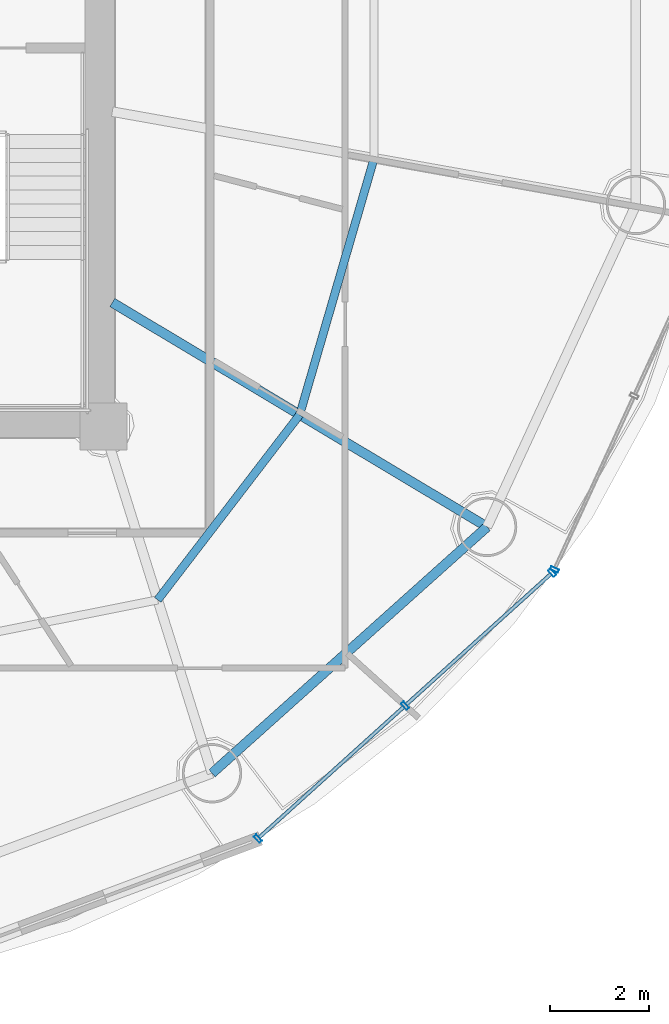
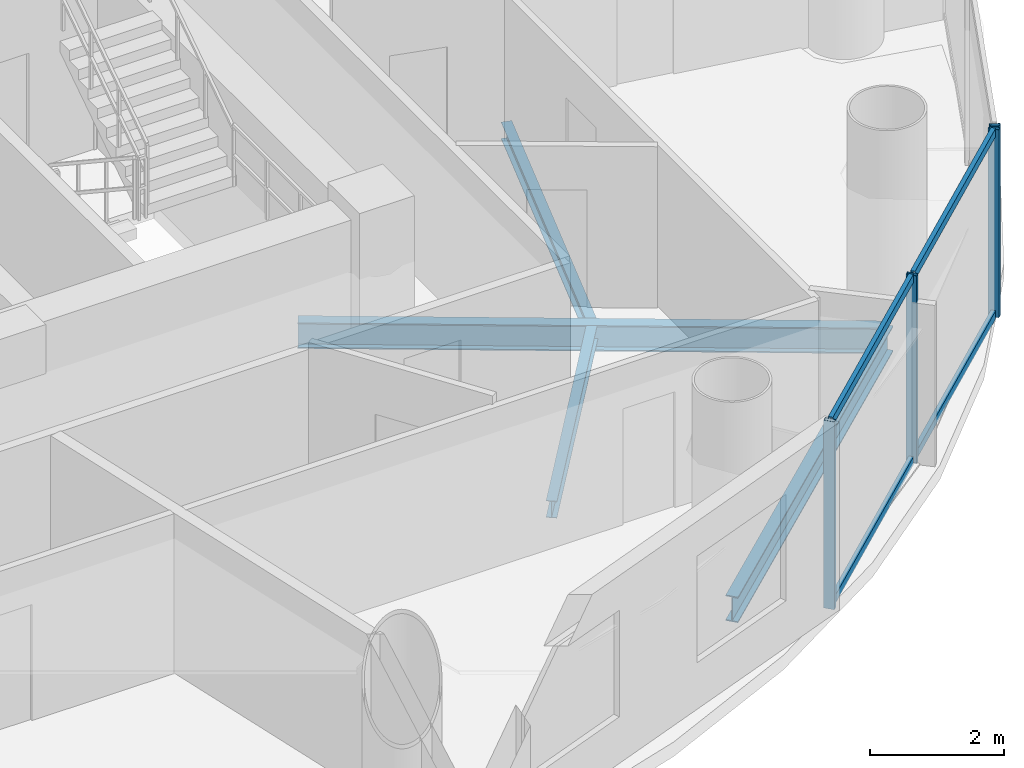
# One storey, part 10 of 27: 8 members, 4 beams, 2 elements without a shape of their own.
"""IFC4 building model written with IfcOpenShell, lengths in metres."""

from ifc_helpers import new_model, si_unit, direction, frame, origin, origin_2d, place, context, subcontext, project, spatial, hollow_rectangle, i_section, extrude, source, transform, mapped, material, material_profile, profile_set, type_object, element, aggregate, save


model = new_model("IFC4")

# Units and contexts
model_context = context("Model", 3, precision=1e-05, world=origin(), true_north=direction((-0.2419218956, 0.970295726276)))
body_context = subcontext(model_context, "Body", "Model", "MODEL_VIEW")
ifc_project = project(units=[si_unit("LENGTHUNIT", "METRE"), si_unit("AREAUNIT", "SQUARE_METRE"), si_unit("VOLUMEUNIT", "CUBIC_METRE"), si_unit("PLANEANGLEUNIT", "RADIAN"), si_unit("MASSUNIT", "GRAM", prefix="KILO")], contexts=[model_context])

# Site, building, storey
site_placement = place(None, origin())
site = spatial("IfcSite", under=ifc_project, at=site_placement, CompositionType="ELEMENT")
building_placement = place(site_placement, origin())
building = spatial("IfcBuilding", under=site, at=building_placement, Name="Cobrevalo Terracotta Tower", CompositionType="ELEMENT")
storey_placement = place(building_placement, frame((0.0, 0.0, 198.60009765625)))
storey = spatial("IfcBuildingStorey", under=building, at=storey_placement, Name="L52", CompositionType="ELEMENT", Elevation=198.60009765625)

# Beams
ifc_material_1 = material(Name="Steel S355", Category="steel")
ifc_material_profile_1 = material_profile(ifc_material_1, i_section(OverallWidth=0.194091796875, OverallDepth=0.468994140625, WebThickness=0.011474609375, FlangeThickness=0.0205078125, at=origin_2d()), Name="W 460x106")
ifc_profile_set_1 = profile_set([ifc_material_profile_1], Name="Steel S355")
beam_type_1 = type_object("IfcBeamType", Name="Structural Beam W 460x106 (Steel S355)", PredefinedType="BEAM", material=ifc_profile_set_1)
beam_1_placement = place(storey_placement, frame((54.754150390625, 16.77197265625, -0.49951171875), z_axis=(-0.858046392192, 0.513572184651, 0.0), x_axis=(-0.513572184651, -0.858046392192, 0.0)))
element("IfcBeam", 1, at=beam_1_placement, inside=storey, type_object=beam_type_1, Name="L52 radial floor girder 15", PredefinedType="BEAM", context=body_context, shape_type="SweptSolid", body=[
    extrude(i_section(OverallWidth=0.194091796875, OverallDepth=0.468994140625, WebThickness=0.011474609375, FlangeThickness=0.0205078125, at=origin_2d()), origin(), (0.0, 0.0, 1.0), 8.827392578125),
])
ifc_material_profile_2 = material_profile(ifc_material_1, i_section(OverallWidth=0.1650390625, OverallDepth=0.31005859375, WebThickness=0.005859375, FlangeThickness=0.009765625, at=origin_2d()), Name="W 310x38.7")
ifc_profile_set_2 = profile_set([ifc_material_profile_2], Name="Steel S355")
beam_type_2 = type_object("IfcBeamType", Name="Structural Joist W 310x38.7 (Steel S355)", PredefinedType="JOIST", material=ifc_profile_set_2)
beam_2_placement = place(storey_placement, frame((48.097412109375, 15.2958984375, -0.420166015625), z_axis=(0.608464146296, 0.793581364872, 0.0), x_axis=(-0.793581364872, 0.608464146296, 0.0)))
element("IfcBeam", 2, at=beam_2_placement, inside=storey, type_object=beam_type_2, Name="L52 circumferential secondary floor joist 14", PredefinedType="JOIST", context=body_context, shape_type="SweptSolid", body=[
    extrude(i_section(OverallWidth=0.1650390625, OverallDepth=0.31005859375, WebThickness=0.005859375, FlangeThickness=0.009765625, at=origin_2d()), origin(), (0.0, 0.0, 1.0), 4.716064453125),
])
beam_3_placement = place(storey_placement, frame((50.967041015625, 19.03857421875, -0.420166015625), z_axis=(0.278757705995, 0.960361463902, 0.0), x_axis=(-0.960361463902, 0.278757705995, 0.0)))
element("IfcBeam", 3, at=beam_3_placement, inside=storey, type_object=beam_type_2, Name="L52 circumferential secondary floor joist 15", PredefinedType="JOIST", context=body_context, shape_type="SweptSolid", body=[
    extrude(i_section(OverallWidth=0.1650390625, OverallDepth=0.31005859375, WebThickness=0.005859375, FlangeThickness=0.009765625, at=origin_2d()), origin(), (0.0, 0.0, 1.0), 5.396728515625),
])
ifc_material_profile_3 = material_profile(ifc_material_1, i_section(OverallWidth=0.194091796875, OverallDepth=0.468994140625, WebThickness=0.011474609375, FlangeThickness=0.0205078125, at=origin_2d()), Name="W 460x106")
ifc_profile_set_3 = profile_set([ifc_material_profile_3], Name="Steel S355")
beam_type_3 = type_object("IfcBeamType", Name="Structural Spandrel W 460x106 (Steel S355)", PredefinedType="SPANDREL", material=ifc_profile_set_3)
beam_4_placement = place(storey_placement, frame((49.19482421875, 11.7919921875, -0.49951171875), z_axis=(0.744851930997, 0.667229796165, 0.0), x_axis=(-0.667229796165, 0.744851930997, 0.0)))
element("IfcBeam", 4, at=beam_4_placement, inside=storey, type_object=beam_type_3, Name="L52 perimeter ring spandrel 14", PredefinedType="SPANDREL", context=body_context, shape_type="SweptSolid", body=[
    extrude(i_section(OverallWidth=0.194091796875, OverallDepth=0.468994140625, WebThickness=0.011474609375, FlangeThickness=0.0205078125, at=origin_2d()), origin(), (0.0, 0.0, 1.0), 7.463623046875),
])

# Curtain wall, members
ifc_material_2 = material(Name="Anodized aluminium", Category="aluminium")
curtain_wall_type = type_object("IfcCurtainWallType", Name="Mid-tower high-wind unitised curtain wall CW-U2", PredefinedType="NOTDEFINED", material=ifc_material_2)
curtain_wall_1_placement = place(storey_placement, origin())
curtain_wall_1 = element("IfcCurtainWall", 5, at=curtain_wall_1_placement, inside=storey, type_object=curtain_wall_type, Name="L52 curtain wall CW-L52-S14", PredefinedType="NOTDEFINED")
ifc_material_profile_4 = material_profile(ifc_material_2, hollow_rectangle(XDim=0.074951171875, YDim=0.14990234375, WallThickness=0.00439453125, at=origin_2d()), Name="CWT 75x150")
ifc_profile_set_4 = profile_set([ifc_material_profile_4], Name="Anodized aluminium")
member_type_1 = type_object("IfcMemberType", Name="Tower unitised aluminium transom 75x150", PredefinedType="USERDEFINED", material=ifc_profile_set_4)
shared_shape_1 = source(origin(), body_context, "Body", "SweptSolid", [
    extrude(hollow_rectangle(XDim=0.074951171875, YDim=0.14990234375, WallThickness=0.00439453125, at=origin_2d()), origin(), (0.0, 0.0, 1.0), 3.927490234375),
])
member_1_placement = place(storey_placement, frame((53.127685546875, 13.185302734375, 0.0498046875), z_axis=(0.741975952623, 0.670426495396, 0.0), x_axis=(-0.670426495396, 0.741975952623, 0.0)))
member_1 = element("IfcMember", 6, at=member_1_placement, type_object=member_type_1, Name="CW-L52-S14 transom B02-T1", ObjectType="TRANSOM", PredefinedType="USERDEFINED", context=body_context, shape_type="MappedRepresentation", body=[
    mapped(shared_shape_1, transform((0.0, 0.0, 0.0), scale=1.0)),
])
member_2_placement = place(storey_placement, frame((53.127685546875, 13.185302734375, 3.385009765625), z_axis=(0.741975952623, 0.670426495396, 0.0), x_axis=(-0.670426495396, 0.741975952623, 0.0)))
member_2 = element("IfcMember", 7, at=member_2_placement, type_object=member_type_1, Name="CW-L52-S14 transom B02-T2", ObjectType="TRANSOM", PredefinedType="USERDEFINED", context=body_context, shape_type="MappedRepresentation", body=[
    mapped(shared_shape_1, transform((0.0, 0.0, 0.0), scale=1.0)),
])
shared_shape_2 = source(origin(), body_context, "Body", "SweptSolid", [
    extrude(hollow_rectangle(XDim=0.074951171875, YDim=0.14990234375, WallThickness=0.00439453125, at=origin_2d()), origin(), (0.0, 0.0, 1.0), 3.927734375),
])
member_3_placement = place(storey_placement, frame((50.154052734375, 10.49853515625, 0.0498046875), z_axis=(0.742003891138, 0.670395573923, 0.0), x_axis=(-0.670395573923, 0.742003891138, 0.0)))
member_3 = element("IfcMember", 8, at=member_3_placement, type_object=member_type_1, Name="CW-L52-S14 transom B01-T1", ObjectType="TRANSOM", PredefinedType="USERDEFINED", context=body_context, shape_type="MappedRepresentation", body=[
    mapped(shared_shape_2, transform((0.0, 0.0, 0.0), scale=1.0)),
])
member_4_placement = place(storey_placement, frame((50.154052734375, 10.49853515625, 3.385009765625), z_axis=(0.742003891138, 0.670395573923, 0.0), x_axis=(-0.670395573923, 0.742003891138, 0.0)))
member_4 = element("IfcMember", 9, at=member_4_placement, type_object=member_type_1, Name="CW-L52-S14 transom B01-T2", ObjectType="TRANSOM", PredefinedType="USERDEFINED", context=body_context, shape_type="MappedRepresentation", body=[
    mapped(shared_shape_2, transform((0.0, 0.0, 0.0), scale=1.0)),
])
ifc_material_profile_5 = material_profile(ifc_material_2, hollow_rectangle(XDim=0.070068359375, YDim=0.169921875, WallThickness=0.00439453125, at=origin_2d()), Name="CWM 70x170")
ifc_profile_set_5 = profile_set([ifc_material_profile_5], Name="Anodized aluminium")
member_type_2 = type_object("IfcMemberType", Name="Upper tower unitised mullion 70x170", PredefinedType="MULLION", material=ifc_profile_set_5)
shared_shape_3 = source(origin(), body_context, "Body", "SweptSolid", [
    extrude(hollow_rectangle(XDim=0.070068359375, YDim=0.169921875, WallThickness=0.00439453125, at=origin_2d()), origin(), (0.0, 0.0, 1.0), 3.434814453125),
])
member_5_placement = place(storey_placement, frame((50.12451171875, 10.471923828125, 0.0), z_axis=(0.0, 0.0, 1.0), x_axis=(0.741987542015, 0.670413668935, 0.0)))
member_5 = element("IfcMember", 10, at=member_5_placement, type_object=member_type_2, Name="CW-L52-S14 vertical mullion 01", PredefinedType="MULLION", context=body_context, shape_type="MappedRepresentation", body=[
    mapped(shared_shape_3, transform((0.0, 0.0, 0.0), scale=1.0)),
])
member_6_placement = place(storey_placement, frame((53.097900390625, 13.158447265625, 0.0), z_axis=(0.0, 0.0, 1.0), x_axis=(0.741987542015, 0.670413668935, 0.0)))
member_6 = element("IfcMember", 11, at=member_6_placement, type_object=member_type_2, Name="CW-L52-S14 vertical mullion 02", PredefinedType="MULLION", context=body_context, shape_type="MappedRepresentation", body=[
    mapped(shared_shape_3, transform((0.0, 0.0, 0.0), scale=1.0)),
])
member_7_placement = place(storey_placement, frame((56.071533203125, 15.84521484375, 0.0), z_axis=(0.0, 0.0, 1.0), x_axis=(0.741987542015, 0.670413668935, 0.0)))
member_7 = element("IfcMember", 12, at=member_7_placement, type_object=member_type_2, Name="CW-L52-S14 vertical mullion 03", PredefinedType="MULLION", context=body_context, shape_type="MappedRepresentation", body=[
    mapped(shared_shape_3, transform((0.0, 0.0, 0.0), scale=1.0)),
])
aggregate(curtain_wall_1, [member_5, member_6, member_7, member_3, member_4, member_1, member_2])

# Curtain wall, member
curtain_wall_2_placement = place(storey_placement, origin())
curtain_wall_2 = element("IfcCurtainWall", 13, at=curtain_wall_2_placement, inside=storey, type_object=curtain_wall_type, Name="L52 curtain wall CW-L52-S15", PredefinedType="NOTDEFINED")
member_8_placement = place(storey_placement, frame((56.11767578125, 15.908203125, 0.0), z_axis=(0.0, 0.0, 1.0), x_axis=(0.41672507912, 0.909032567311, 0.0)))
member_8 = element("IfcMember", 14, at=member_8_placement, type_object=member_type_2, Name="CW-L52-S15 vertical mullion 01", PredefinedType="MULLION", context=body_context, shape_type="MappedRepresentation", body=[
    mapped(shared_shape_3, transform((0.0, 0.0, 0.0), scale=1.0)),
])
aggregate(curtain_wall_2, [member_8])

save(model, "model.ifc")
